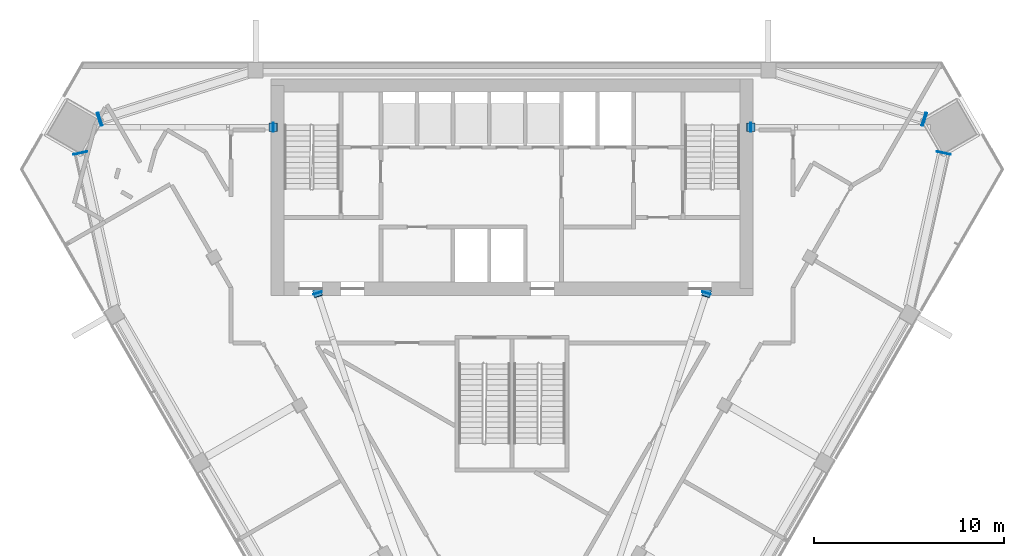
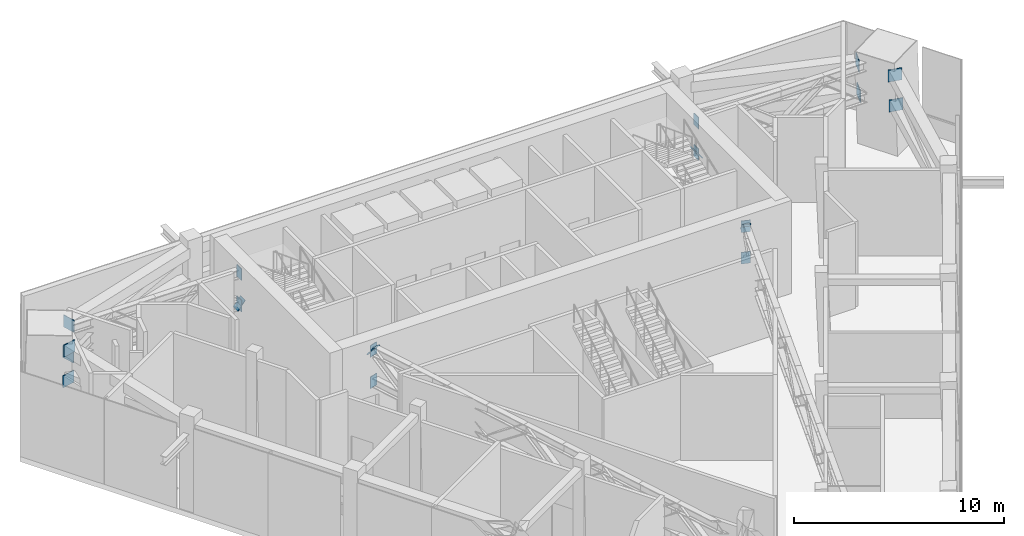
# One storey, part 12 of 14: 20 discrete accessories.
"""IFC4 building model written with IfcOpenShell, lengths in metres."""

from ifc_helpers import new_model, si_unit, direction, frame, origin, origin_2d, place, context, subcontext, project, spatial, rectangle, extrude, material, material_profile, profile_set, type_object, element, save


model = new_model("IFC4")

# Units and contexts
model_context = context("Model", 3, precision=1e-05, world=origin(), true_north=direction((0.0, 1.0)))
body_context = subcontext(model_context, "Body", "Model", "MODEL_VIEW")
ifc_project = project(units=[si_unit("LENGTHUNIT", "METRE"), si_unit("AREAUNIT", "SQUARE_METRE"), si_unit("VOLUMEUNIT", "CUBIC_METRE"), si_unit("PLANEANGLEUNIT", "RADIAN"), si_unit("MASSUNIT", "GRAM", prefix="KILO")], contexts=[model_context])

# Site, building, storey
site_placement = place(None, origin())
site = spatial("IfcSite", under=ifc_project, at=site_placement, CompositionType="ELEMENT")
building_placement = place(site_placement, origin())
building = spatial("IfcBuilding", under=site, at=building_placement, Name="Altiplano Prism Tower", CompositionType="ELEMENT")
storey_placement = place(building_placement, frame((0.0, 0.0, 189.0)))
storey = spatial("IfcBuildingStorey", under=building, at=storey_placement, Name="L49", CompositionType="ELEMENT", Elevation=189.0)

# Discrete accessories
ifc_material = material(Name="Steel S355", Category="steel")
ifc_material_profile_1 = material_profile(ifc_material, rectangle(XDim=0.449951171875, YDim=0.64990234375, at=origin_2d()), Name="Cast-in plate 450x650x40")
ifc_profile_set_1 = profile_set([ifc_material_profile_1], Name="Steel S355")
discrete_accessory_type_1 = type_object("IfcDiscreteAccessoryType", Name="Cast-in plate 450x650x40", PredefinedType="ANCHORPLATE", material=ifc_profile_set_1)
for number, where, z_axis, x_axis, name in (
    (1, (72.449951171875, 101.5546875, 2.862060546875), (-0.787376183758, 0.0, 0.616472826043), (0.0, -1.0, 0.0), "Cast-in plate Outrigger truss R2 1 diagonal 4 end 2"),
    (2, (97.550048828125, 101.5546875, 2.862060546875), (0.787376183758, 0.0, 0.616472826043), (0.0, 1.0, 0.0), "Cast-in plate Outrigger truss R2 2 diagonal 4 end 2"),
    (3, (74.753173828125, 92.842529296875, 4.68798828125), (0.249934959953, -0.761996829124, -0.597405514034), (0.950192642581, 0.311663186766, 0.0), "Cast-in plate Outrigger truss R2 3 diagonal 13 end 2"),
    (4, (95.246826171875, 92.842529296875, 4.68798828125), (-0.249934959953, -0.761996829124, -0.597405514034), (0.950192642581, -0.311663186766, 0.0), "Cast-in plate Outrigger truss R2 4 diagonal 13 end 2"),
):
    element("IfcDiscreteAccessory", number, at=place(storey_placement, frame(where, z_axis=z_axis, x_axis=x_axis)), inside=storey, type_object=discrete_accessory_type_1, Name=name, PredefinedType="ANCHORPLATE", context=body_context, shape_type="SweptSolid", body=[
        extrude(rectangle(XDim=0.449951171875, YDim=0.64990234375, at=origin_2d()), origin(), (0.0, 0.0, 1.0), 0.0400390625),
    ])
ifc_material_profile_2 = material_profile(ifc_material, rectangle(XDim=0.4560546875, YDim=0.674072265625, at=origin_2d()), Name="Cast-in plate 456x674x40")
ifc_profile_set_2 = profile_set([ifc_material_profile_2], Name="Steel S355")
discrete_accessory_type_2 = type_object("IfcDiscreteAccessoryType", Name="Cast-in plate 456x674x40", PredefinedType="ANCHORPLATE", material=ifc_profile_set_2)
for number, where, z_axis, x_axis, name in (
    (5, (72.449951171875, 101.5546875, 2.862060546875), (-1.0, 0.0, 0.0), (0.0, -1.0, 0.0), "Cast-in plate Outrigger truss R2 1 chord b4 end 2"),
    (6, (72.449951171875, 101.5546875, 4.68798828125), (-1.0, 0.0, 0.0), (0.0, -1.0, 0.0), "Cast-in plate Outrigger truss R2 1 chord t4 end 2"),
    (7, (97.550048828125, 101.5546875, 2.862060546875), (1.0, 0.0, 0.0), (0.0, 1.0, 0.0), "Cast-in plate Outrigger truss R2 2 chord b4 end 2"),
    (8, (97.550048828125, 101.5546875, 4.68798828125), (1.0, 0.0, 0.0), (0.0, 1.0, 0.0), "Cast-in plate Outrigger truss R2 2 chord t4 end 2"),
    (9, (74.753173828125, 92.842529296875, 2.862060546875), (0.310738856307, -0.950495325176, 0.0), (0.950495325176, 0.310738856307, 0.0), "Cast-in plate Outrigger truss R2 3 chord b13 end 2"),
    (10, (74.753173828125, 92.842529296875, 4.68798828125), (0.310738856307, -0.950495325176, 0.0), (0.950495325176, 0.310738856307, 0.0), "Cast-in plate Outrigger truss R2 3 chord t13 end 2"),
    (11, (95.246826171875, 92.842529296875, 2.862060546875), (-0.310738856307, -0.950495325176, 0.0), (0.950495325176, -0.310738856307, 0.0), "Cast-in plate Outrigger truss R2 4 chord b13 end 2"),
    (12, (95.246826171875, 92.842529296875, 4.68798828125), (-0.310738856307, -0.950495325176, 0.0), (0.950495325176, -0.310738856307, 0.0), "Cast-in plate Outrigger truss R2 4 chord t13 end 2"),
):
    element("IfcDiscreteAccessory", number, at=place(storey_placement, frame(where, z_axis=z_axis, x_axis=x_axis)), inside=storey, type_object=discrete_accessory_type_2, Name=name, PredefinedType="ANCHORPLATE", context=body_context, shape_type="SweptSolid", body=[
        extrude(rectangle(XDim=0.4560546875, YDim=0.674072265625, at=origin_2d()), origin(), (0.0, 0.0, 1.0), 0.0400390625),
    ])
ifc_material_profile_3 = material_profile(ifc_material, rectangle(XDim=0.699951171875, YDim=0.699951171875, at=origin_2d()), Name="Truss end plate 700x700x40")
ifc_profile_set_3 = profile_set([ifc_material_profile_3], Name="Steel S355")
discrete_accessory_type_3 = type_object("IfcDiscreteAccessoryType", Name="Truss end plate 700x700x40", PredefinedType="ANCHORPLATE", material=ifc_profile_set_3)
for number, where, z_axis, x_axis, name in (
    (13, (107.7646484375, 100.205810546875, 2.89990234375), (-0.213696878805, -0.976900017396, 0.0), (0.976900017396, -0.213696878805, 0.0), "Truss end plate Belt truss R2 chord b1 end 2"),
    (14, (107.71484375, 100.22216796875, 4.64990234375), (-0.213696878805, -0.976900017396, 0.0), (0.976900017396, -0.213696878805, 0.0), "Truss end plate Belt truss R2 chord t1 end 2"),
    (15, (106.753173828125, 101.9580078125, 2.89990234375), (-0.954588103487, 0.297928771152, 0.0), (-0.297928771152, -0.954588103487, 0.0), "Truss end plate Belt truss R2 chord b2 end 1"),
    (16, (106.703369140625, 101.97412109375, 4.64990234375), (-0.954043683076, 0.29966756712, 0.0), (-0.29966756712, -0.954043683076, 0.0), "Truss end plate Belt truss R2 chord t2 end 1"),
    (17, (63.246826171875, 101.9580078125, 2.89990234375), (0.954588103487, 0.297928771152, 0.0), (-0.297928771152, 0.954588103487, 0.0), "Truss end plate Belt truss R2 chord b4 end 2"),
    (18, (63.296630859375, 101.97412109375, 4.64990234375), (0.954043683076, 0.29966756712, 0.0), (-0.29966756712, 0.954043683076, 0.0), "Truss end plate Belt truss R2 chord t4 end 2"),
    (19, (62.2353515625, 100.205810546875, 2.89990234375), (0.213696878805, -0.976900017396, 0.0), (0.976900017396, 0.213696878805, 0.0), "Truss end plate Belt truss R2 chord b5 end 1"),
    (20, (62.28515625, 100.22216796875, 4.64990234375), (0.213696878805, -0.976900017396, 0.0), (0.976900017396, 0.213696878805, 0.0), "Truss end plate Belt truss R2 chord t5 end 1"),
):
    element("IfcDiscreteAccessory", number, at=place(storey_placement, frame(where, z_axis=z_axis, x_axis=x_axis)), inside=storey, type_object=discrete_accessory_type_3, Name=name, PredefinedType="ANCHORPLATE", context=body_context, shape_type="SweptSolid", body=[
        extrude(rectangle(XDim=0.699951171875, YDim=0.699951171875, at=origin_2d()), origin(), (0.0, 0.0, 1.0), 0.0400390625),
    ])

save(model, "model.ifc")
